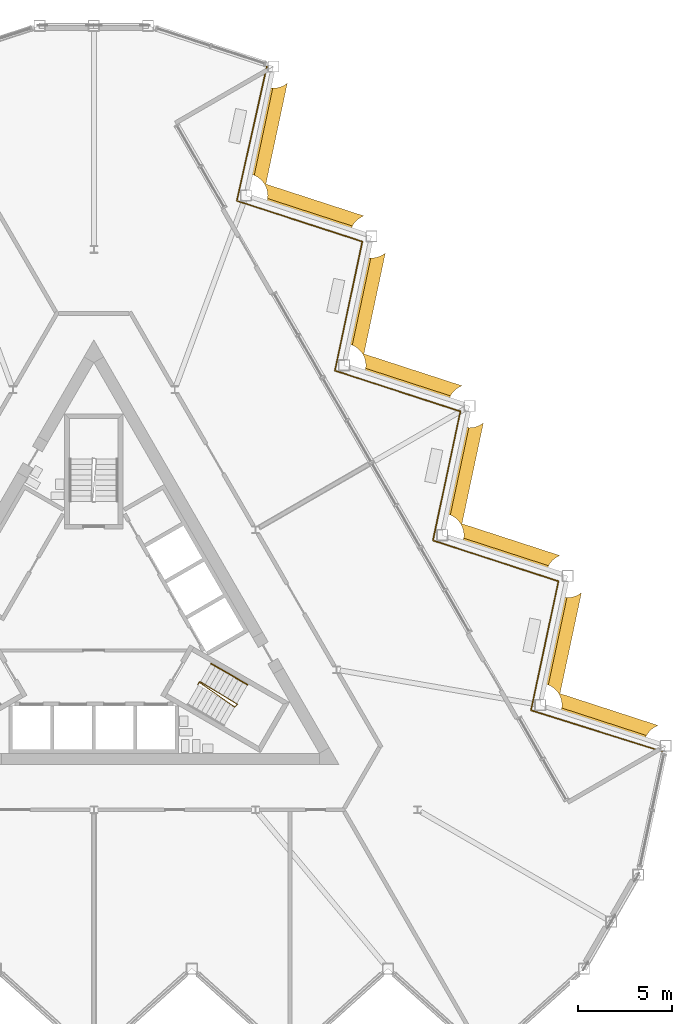
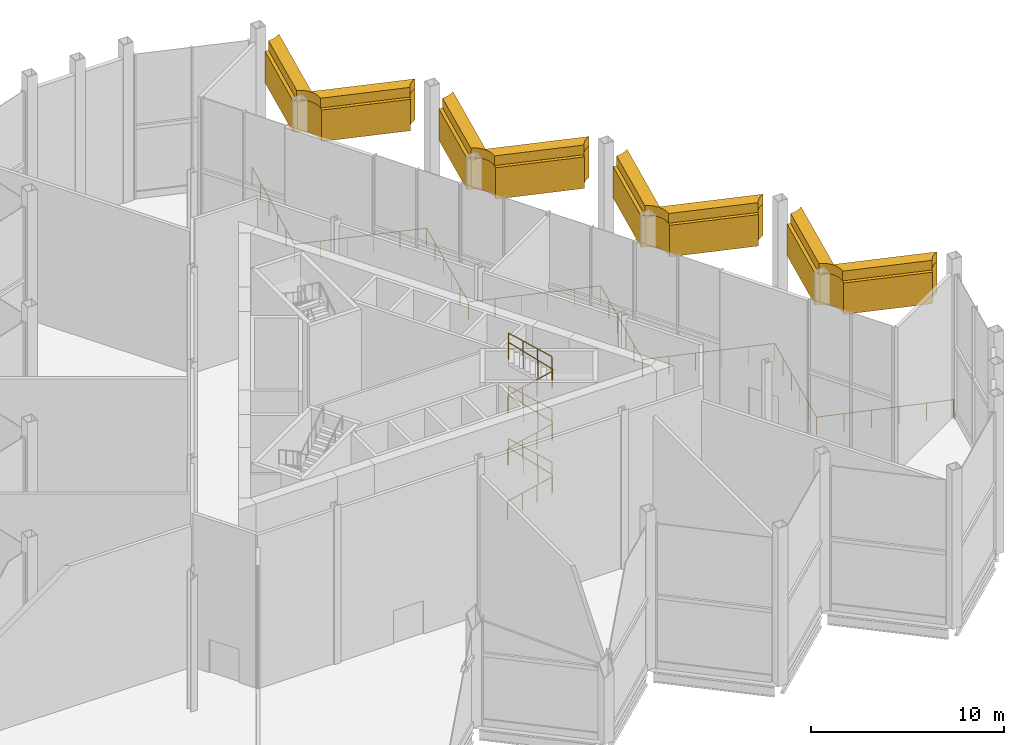
# One storey, part 16 of 18: 8 coverings, 5 railings.
"""IFC4 building model written with IfcOpenShell, lengths in metres."""

from ifc_helpers import new_model, si_unit, direction, frame, origin, origin_2d, place, context, subcontext, project, spatial, polyline, circle, outline, extrude, material, layer, layer_set, type_object, element, save


model = new_model("IFC4")

# Units and contexts
model_context = context("Model", 3, precision=1e-05, world=origin(), true_north=direction((0.0, 1.0)))
body_context = subcontext(model_context, "Body", "Model", "MODEL_VIEW")
ifc_project = project(units=[si_unit("LENGTHUNIT", "METRE"), si_unit("AREAUNIT", "SQUARE_METRE"), si_unit("VOLUMEUNIT", "CUBIC_METRE"), si_unit("PLANEANGLEUNIT", "RADIAN"), si_unit("MASSUNIT", "GRAM", prefix="KILO")], contexts=[model_context])

# Site, building, storey
site_placement = place(None, origin())
site = spatial("IfcSite", under=ifc_project, at=site_placement, CompositionType="ELEMENT")
building_placement = place(site_placement, origin())
building = spatial("IfcBuilding", under=site, at=building_placement, Name="Cormorant Prow Tower", CompositionType="ELEMENT")
storey_placement = place(building_placement, frame((0.0, 0.0, 346.0)))
storey = spatial("IfcBuildingStorey", under=building, at=storey_placement, Name="L78", CompositionType="ELEMENT", Elevation=346.0)

# Railings
ifc_material_1 = material(Name="Stainless steel", Category="steel")
railing_type_1 = type_object("IfcRailingType", Name="Stair guard 1100", PredefinedType="GUARDRAIL", material=ifc_material_1)
railing_1_placement = place(storey_placement, frame((5.510009765625, -3.267822265625, 0.0)))
element("IfcRailing", 1, at=railing_1_placement, inside=storey, type_object=railing_type_1, Name="L78 ST2 stair guard 1", PredefinedType="GUARDRAIL", context=body_context, shape_type="SweptSolid", body=[
    extrude(circle(Radius=0.02392578125, at=origin_2d()), frame((0.0, 0.0, 1.076171875), z_axis=(0.501036270542, 0.865426285481, 0.0), x_axis=(-0.865426285481, 0.501036270542, 0.0)), (0.0, 0.0, 1.0), 0.150146484375),
    extrude(circle(Radius=0.02392578125, at=origin_2d()), frame((0.0751953125, 0.1298828125, 1.076171875), z_axis=(0.663221673184, -0.464246572478, 0.587036738341), x_axis=(0.573455215813, 0.819236910458, 0.0)), (0.0, 0.0, 1.0), 2.83935546875),
    extrude(circle(Radius=0.02392578125, at=origin_2d()), frame((1.958251953125, -1.188232421875, 2.74267578125), z_axis=(0.695164929852, 0.718850276695, 0.0), x_axis=(-0.718850276695, 0.695164929852, 0.0)), (0.0, 0.0, 1.0), 0.2060546875),
    extrude(circle(Radius=0.02392578125, at=origin_2d()), frame((2.1015625, -1.0400390625, 2.74267578125), z_axis=(-0.691315500176, 0.419477937833, 0.588320608927), x_axis=(-0.518752825935, -0.854924268918, 0.0)), (0.0, 0.0, 1.0), 2.832763671875),
    extrude(circle(Radius=0.02392578125, at=origin_2d()), frame((0.143310546875, 0.148193359375, 4.4091796875), z_axis=(-0.965715946433, -0.259601060869, 0.0), x_axis=(0.259601060869, -0.965715946433, 0.0)), (0.0, 0.0, 1.0), 0.070556640625),
    extrude(circle(Radius=0.02392578125, at=origin_2d()), frame((0.0751953125, 0.1298828125, 4.4091796875), z_axis=(0.663221673184, -0.464246572478, 0.587036738341), x_axis=(0.573455215813, 0.819236910458, 0.0)), (0.0, 0.0, 1.0), 2.83935546875),
    extrude(circle(Radius=0.02392578125, at=origin_2d()), frame((1.958251953125, -1.188232421875, 6.076171875), z_axis=(0.695164929852, 0.718850276695, 0.0), x_axis=(-0.718850276695, 0.695164929852, 0.0)), (0.0, 0.0, 1.0), 0.2060546875),
    extrude(circle(Radius=0.02392578125, at=origin_2d()), frame((2.1015625, -1.0400390625, 6.076171875), z_axis=(-0.69128044623, 0.419456667722, 0.588376961278), x_axis=(-0.518752825935, -0.854924268918, 0.0)), (0.0, 0.0, 1.0), 2.832763671875),
    extrude(circle(Radius=0.02392578125, at=origin_2d()), frame((0.143310546875, 0.148193359375, 7.74267578125), z_axis=(-0.965715946433, -0.259601060869, 0.0), x_axis=(0.259601060869, -0.965715946433, 0.0)), (0.0, 0.0, 1.0), 0.070556640625),
    extrude(circle(Radius=0.02392578125, at=origin_2d()), frame((0.0751953125, 0.1298828125, 7.74267578125), z_axis=(0.663255151256, -0.464270006694, 0.586980378902), x_axis=(0.573455215813, 0.819236910458, 0.0)), (0.0, 0.0, 1.0), 2.839111328125),
    extrude(circle(Radius=0.02392578125, at=origin_2d()), frame((1.958251953125, -1.188232421875, 9.4091796875), z_axis=(0.695164929852, 0.718850276695, 0.0), x_axis=(-0.718850276695, 0.695164929852, 0.0)), (0.0, 0.0, 1.0), 0.2060546875),
    extrude(circle(Radius=0.02392578125, at=origin_2d()), frame((2.1015625, -1.0400390625, 9.4091796875), z_axis=(-0.69128044623, 0.419456667722, 0.588376961278), x_axis=(-0.518752825935, -0.854924268918, 0.0)), (0.0, 0.0, 1.0), 2.832763671875),
    extrude(circle(Radius=0.02099609375, at=origin_2d()), origin(), (0.0, 0.0, 1.0), 1.052001953125),
    extrude(circle(Radius=0.02099609375, at=origin_2d()), frame((0.0751953125, 0.1298828125, 0.0)), (0.0, 0.0, 1.0), 1.052001953125),
    extrude(circle(Radius=0.02099609375, at=origin_2d()), frame((0.702880859375, -0.3095703125, 0.5556640625)), (0.0, 0.0, 1.0), 1.052001953125),
    extrude(circle(Radius=0.02099609375, at=origin_2d()), frame((1.33056640625, -0.748779296875, 1.111083984375)), (0.0, 0.0, 1.0), 1.052001953125),
    extrude(circle(Radius=0.02099609375, at=origin_2d()), frame((1.958251953125, -1.188232421875, 1.666748046875)), (0.0, 0.0, 1.0), 1.052001953125),
    extrude(circle(Radius=0.02099609375, at=origin_2d()), frame((2.1015625, -1.0400390625, 1.666748046875)), (0.0, 0.0, 1.0), 1.052001953125),
    extrude(circle(Radius=0.02099609375, at=origin_2d()), frame((1.44873046875, -0.64404296875, 2.22216796875)), (0.0, 0.0, 1.0), 1.052001953125),
    extrude(circle(Radius=0.02099609375, at=origin_2d()), frame((0.796142578125, -0.247802734375, 2.77783203125)), (0.0, 0.0, 1.0), 1.052001953125),
    extrude(circle(Radius=0.02099609375, at=origin_2d()), frame((0.143310546875, 0.148193359375, 3.333251953125)), (0.0, 0.0, 1.0), 1.052001953125),
    extrude(circle(Radius=0.02099609375, at=origin_2d()), frame((0.0751953125, 0.1298828125, 3.333251953125)), (0.0, 0.0, 1.0), 1.052001953125),
    extrude(circle(Radius=0.02099609375, at=origin_2d()), frame((0.702880859375, -0.3095703125, 3.888916015625)), (0.0, 0.0, 1.0), 1.052001953125),
    extrude(circle(Radius=0.02099609375, at=origin_2d()), frame((1.33056640625, -0.748779296875, 4.4443359375)), (0.0, 0.0, 1.0), 1.052001953125),
    extrude(circle(Radius=0.02099609375, at=origin_2d()), frame((1.958251953125, -1.188232421875, 5.0)), (0.0, 0.0, 1.0), 1.052001953125),
    extrude(circle(Radius=0.02099609375, at=origin_2d()), frame((2.1015625, -1.0400390625, 5.0)), (0.0, 0.0, 1.0), 1.052001953125),
    extrude(circle(Radius=0.02099609375, at=origin_2d()), frame((1.44873046875, -0.64404296875, 5.5556640625)), (0.0, 0.0, 1.0), 1.052001953125),
    extrude(circle(Radius=0.02099609375, at=origin_2d()), frame((0.796142578125, -0.247802734375, 6.111083984375)), (0.0, 0.0, 1.0), 1.052001953125),
    extrude(circle(Radius=0.02099609375, at=origin_2d()), frame((0.143310546875, 0.148193359375, 6.666748046875)), (0.0, 0.0, 1.0), 1.052001953125),
    extrude(circle(Radius=0.02099609375, at=origin_2d()), frame((0.0751953125, 0.1298828125, 6.666748046875)), (0.0, 0.0, 1.0), 1.052001953125),
    extrude(circle(Radius=0.02099609375, at=origin_2d()), frame((0.702880859375, -0.3095703125, 7.22216796875)), (0.0, 0.0, 1.0), 1.052001953125),
    extrude(circle(Radius=0.02099609375, at=origin_2d()), frame((1.33056640625, -0.748779296875, 7.77783203125)), (0.0, 0.0, 1.0), 1.052001953125),
    extrude(circle(Radius=0.02099609375, at=origin_2d()), frame((1.958251953125, -1.188232421875, 8.333251953125)), (0.0, 0.0, 1.0), 1.052001953125),
    extrude(circle(Radius=0.02099609375, at=origin_2d()), frame((2.1015625, -1.0400390625, 8.333251953125)), (0.0, 0.0, 1.0), 1.052001953125),
    extrude(circle(Radius=0.02099609375, at=origin_2d()), frame((1.44873046875, -0.64404296875, 8.888916015625)), (0.0, 0.0, 1.0), 1.052001953125),
    extrude(circle(Radius=0.02099609375, at=origin_2d()), frame((0.796142578125, -0.247802734375, 9.4443359375)), (0.0, 0.0, 1.0), 1.052001953125),
    extrude(circle(Radius=0.02099609375, at=origin_2d()), frame((0.143310546875, 0.148193359375, 10.0)), (0.0, 0.0, 1.0), 1.052001953125),
])
ifc_material_2 = material(Name="Stainless steel", Category="steel")
railing_type_2 = type_object("IfcRailingType", Name="Stair handrail 900", PredefinedType="HANDRAIL", material=ifc_material_2)
for number, where, name in (
    (2, (8.15283203125, -3.2705078125, 1.851806640625), "L78 ST2 stair handrail 2"),
    (3, (8.15283203125, -3.2705078125, 5.185302734375), "L78 ST2 stair handrail 4"),
    (4, (8.15283203125, -3.2705078125, 8.5185546875), "L78 ST2 stair handrail 6"),
):
    element("IfcRailing", number, at=place(storey_placement, frame(where)), inside=storey, type_object=railing_type_2, Name=name, PredefinedType="HANDRAIL", context=body_context, shape_type="SweptSolid", body=[
        extrude(circle(Radius=0.02392578125, at=origin_2d()), frame((0.0, 0.0, 0.8759765625), z_axis=(-0.722363311002, 0.416999812178, 0.551636115172), x_axis=(-0.49994888933, -0.866054910533, 0.0)), (0.0, 0.0, 1.0), 2.685546875),
        extrude(circle(Radius=0.02099609375, at=origin_2d()), origin(), (0.0, 0.0, 1.0), 0.851806640625),
        extrude(circle(Radius=0.02099609375, at=origin_2d()), frame((-0.646728515625, 0.373291015625, 0.493896484375)), (0.0, 0.0, 1.0), 0.851806640625),
        extrude(circle(Radius=0.02099609375, at=origin_2d()), frame((-1.293212890625, 0.74658203125, 0.987548828125)), (0.0, 0.0, 1.0), 0.851806640625),
        extrude(circle(Radius=0.02099609375, at=origin_2d()), frame((-1.93994140625, 1.119873046875, 1.4814453125)), (0.0, 0.0, 1.0), 0.851806640625),
    ])
ifc_material_3 = material(Name="Aluminium 6063-T6", Category="aluminium")
railing_type_3 = type_object("IfcRailingType", Name="Terrace guard 1150", PredefinedType="GUARDRAIL", material=ifc_material_3)
railing_2_placement = place(storey_placement, frame((30.138916015625, -6.810302734375, 0.0)))
element("IfcRailing", 5, at=railing_2_placement, inside=storey, type_object=railing_type_3, Name="Terrace guard ENE", PredefinedType="GUARDRAIL", context=body_context, shape_type="SweptSolid", body=[
    extrude(circle(Radius=0.02392578125, at=origin_2d()), frame((0.0, 0.0, 1.1259765625), z_axis=(-0.954122487146, 0.29941656521, 0.0), x_axis=(-0.29941656521, -0.954122487146, 0.0)), (0.0, 0.0, 1.0), 7.292724609375),
    extrude(circle(Radius=0.02392578125, at=origin_2d()), frame((-6.958251953125, 2.18359375, 1.1259765625), z_axis=(0.207920109304, 0.978145811292, 0.0), x_axis=(-0.978145811292, 0.207920109304, 0.0)), (0.0, 0.0, 1.0), 6.995849609375),
    extrude(circle(Radius=0.02392578125, at=origin_2d()), frame((-5.503662109375, 9.026611328125, 1.1259765625), z_axis=(-0.951046634004, 0.309047407285, 0.0), x_axis=(-0.309047407285, -0.951046634004, 0.0)), (0.0, 0.0, 1.0), 6.99609375),
    extrude(circle(Radius=0.02392578125, at=origin_2d()), frame((-12.1572265625, 11.188720703125, 1.1259765625), z_axis=(0.207886719957, 0.978152908121, 0.0), x_axis=(-0.978152908121, 0.207886719957, 0.0)), (0.0, 0.0, 1.0), 6.995849609375),
    extrude(circle(Radius=0.02392578125, at=origin_2d()), frame((-10.702880859375, 18.03173828125, 1.1259765625), z_axis=(-0.951056890451, 0.309015842841, 0.0), x_axis=(-0.309015842841, -0.951056890451, 0.0)), (0.0, 0.0, 1.0), 6.995849609375),
    extrude(circle(Radius=0.02392578125, at=origin_2d()), frame((-17.3564453125, 20.193603515625, 1.1259765625), z_axis=(0.207913012193, 0.978147319866, 0.0), x_axis=(-0.978147319866, 0.207913012193, 0.0)), (0.0, 0.0, 1.0), 6.99609375),
    extrude(circle(Radius=0.02392578125, at=origin_2d()), frame((-15.90185546875, 27.036865234375, 1.1259765625), z_axis=(-0.951056890451, 0.309015842841, 0.0), x_axis=(-0.309015842841, -0.951056890451, 0.0)), (0.0, 0.0, 1.0), 6.995849609375),
    extrude(circle(Radius=0.02392578125, at=origin_2d()), frame((-22.555419921875, 29.19873046875, 1.1259765625), z_axis=(0.217770463212, 0.976000012988, 0.0), x_axis=(-0.976000012988, 0.217770463212, 0.0)), (0.0, 0.0, 1.0), 7.292724609375),
    extrude(circle(Radius=0.02099609375, at=origin_2d()), origin(), (0.0, 0.0, 1.0), 1.101806640625),
    extrude(circle(Radius=0.02099609375, at=origin_2d()), frame((-1.3916015625, 0.436767578125, 0.0)), (0.0, 0.0, 1.0), 1.101806640625),
    extrude(circle(Radius=0.02099609375, at=origin_2d()), frame((-2.783203125, 0.87353515625, 0.0)), (0.0, 0.0, 1.0), 1.101806640625),
    extrude(circle(Radius=0.02099609375, at=origin_2d()), frame((-4.175048828125, 1.31005859375, 0.0)), (0.0, 0.0, 1.0), 1.101806640625),
    extrude(circle(Radius=0.02099609375, at=origin_2d()), frame((-5.566650390625, 1.746826171875, 0.0)), (0.0, 0.0, 1.0), 1.101806640625),
    extrude(circle(Radius=0.02099609375, at=origin_2d()), frame((-6.958251953125, 2.18359375, 0.0)), (0.0, 0.0, 1.0), 1.101806640625),
    extrude(circle(Radius=0.02099609375, at=origin_2d()), frame((-6.667236328125, 3.55224609375, 0.0)), (0.0, 0.0, 1.0), 1.101806640625),
    extrude(circle(Radius=0.02099609375, at=origin_2d()), frame((-6.37646484375, 4.9208984375, 0.0)), (0.0, 0.0, 1.0), 1.101806640625),
    extrude(circle(Radius=0.02099609375, at=origin_2d()), frame((-6.08544921875, 6.289306640625, 0.0)), (0.0, 0.0, 1.0), 1.101806640625),
    extrude(circle(Radius=0.02099609375, at=origin_2d()), frame((-5.794677734375, 7.657958984375, 0.0)), (0.0, 0.0, 1.0), 1.101806640625),
    extrude(circle(Radius=0.02099609375, at=origin_2d()), frame((-5.503662109375, 9.026611328125, 0.0)), (0.0, 0.0, 1.0), 1.101806640625),
    extrude(circle(Radius=0.02099609375, at=origin_2d()), frame((-6.83447265625, 9.458984375, 0.0)), (0.0, 0.0, 1.0), 1.101806640625),
    extrude(circle(Radius=0.02099609375, at=origin_2d()), frame((-8.1650390625, 9.891357421875, 0.0)), (0.0, 0.0, 1.0), 1.101806640625),
    extrude(circle(Radius=0.02099609375, at=origin_2d()), frame((-9.495849609375, 10.323974609375, 0.0)), (0.0, 0.0, 1.0), 1.101806640625),
    extrude(circle(Radius=0.02099609375, at=origin_2d()), frame((-10.826416015625, 10.75634765625, 0.0)), (0.0, 0.0, 1.0), 1.101806640625),
    extrude(circle(Radius=0.02099609375, at=origin_2d()), frame((-12.1572265625, 11.188720703125, 0.0)), (0.0, 0.0, 1.0), 1.101806640625),
    extrude(circle(Radius=0.02099609375, at=origin_2d()), frame((-11.866455078125, 12.557373046875, 0.0)), (0.0, 0.0, 1.0), 1.101806640625),
    extrude(circle(Radius=0.02099609375, at=origin_2d()), frame((-11.575439453125, 13.926025390625, 0.0)), (0.0, 0.0, 1.0), 1.101806640625),
    extrude(circle(Radius=0.02099609375, at=origin_2d()), frame((-11.28466796875, 15.29443359375, 0.0)), (0.0, 0.0, 1.0), 1.101806640625),
    extrude(circle(Radius=0.02099609375, at=origin_2d()), frame((-10.99365234375, 16.6630859375, 0.0)), (0.0, 0.0, 1.0), 1.101806640625),
    extrude(circle(Radius=0.02099609375, at=origin_2d()), frame((-10.702880859375, 18.03173828125, 0.0)), (0.0, 0.0, 1.0), 1.101806640625),
    extrude(circle(Radius=0.02099609375, at=origin_2d()), frame((-12.03369140625, 18.464111328125, 0.0)), (0.0, 0.0, 1.0), 1.101806640625),
    extrude(circle(Radius=0.02099609375, at=origin_2d()), frame((-13.3642578125, 18.896484375, 0.0)), (0.0, 0.0, 1.0), 1.101806640625),
    extrude(circle(Radius=0.02099609375, at=origin_2d()), frame((-14.695068359375, 19.328857421875, 0.0)), (0.0, 0.0, 1.0), 1.101806640625),
    extrude(circle(Radius=0.02099609375, at=origin_2d()), frame((-16.025634765625, 19.76123046875, 0.0)), (0.0, 0.0, 1.0), 1.101806640625),
    extrude(circle(Radius=0.02099609375, at=origin_2d()), frame((-17.3564453125, 20.193603515625, 0.0)), (0.0, 0.0, 1.0), 1.101806640625),
    extrude(circle(Radius=0.02099609375, at=origin_2d()), frame((-17.0654296875, 21.562255859375, 0.0)), (0.0, 0.0, 1.0), 1.101806640625),
    extrude(circle(Radius=0.02099609375, at=origin_2d()), frame((-16.774658203125, 22.930908203125, 0.0)), (0.0, 0.0, 1.0), 1.101806640625),
    extrude(circle(Radius=0.02099609375, at=origin_2d()), frame((-16.483642578125, 24.299560546875, 0.0)), (0.0, 0.0, 1.0), 1.101806640625),
    extrude(circle(Radius=0.02099609375, at=origin_2d()), frame((-16.19287109375, 25.668212890625, 0.0)), (0.0, 0.0, 1.0), 1.101806640625),
    extrude(circle(Radius=0.02099609375, at=origin_2d()), frame((-15.90185546875, 27.036865234375, 0.0)), (0.0, 0.0, 1.0), 1.101806640625),
    extrude(circle(Radius=0.02099609375, at=origin_2d()), frame((-17.232666015625, 27.46923828125, 0.0)), (0.0, 0.0, 1.0), 1.101806640625),
    extrude(circle(Radius=0.02099609375, at=origin_2d()), frame((-18.563232421875, 27.901611328125, 0.0)), (0.0, 0.0, 1.0), 1.101806640625),
    extrude(circle(Radius=0.02099609375, at=origin_2d()), frame((-19.89404296875, 28.333984375, 0.0)), (0.0, 0.0, 1.0), 1.101806640625),
    extrude(circle(Radius=0.02099609375, at=origin_2d()), frame((-21.224609375, 28.766357421875, 0.0)), (0.0, 0.0, 1.0), 1.101806640625),
    extrude(circle(Radius=0.02099609375, at=origin_2d()), frame((-22.555419921875, 29.19873046875, 0.0)), (0.0, 0.0, 1.0), 1.101806640625),
    extrude(circle(Radius=0.02099609375, at=origin_2d()), frame((-22.23779296875, 30.622314453125, 0.0)), (0.0, 0.0, 1.0), 1.101806640625),
    extrude(circle(Radius=0.02099609375, at=origin_2d()), frame((-21.920166015625, 32.0458984375, 0.0)), (0.0, 0.0, 1.0), 1.101806640625),
    extrude(circle(Radius=0.02099609375, at=origin_2d()), frame((-21.6025390625, 33.46923828125, 0.0)), (0.0, 0.0, 1.0), 1.101806640625),
    extrude(circle(Radius=0.02099609375, at=origin_2d()), frame((-21.284912109375, 34.892822265625, 0.0)), (0.0, 0.0, 1.0), 1.101806640625),
    extrude(circle(Radius=0.02099609375, at=origin_2d()), frame((-20.96728515625, 36.31640625, 0.0)), (0.0, 0.0, 1.0), 1.101806640625),
])

# Coverings
ifc_material_4 = material(Name="Terracotta", Category="masonry")
ifc_layer = layer(ifc_material_4, 0.89990234375)
ifc_layer_set = layer_set([ifc_layer], Name="Terracotta")
covering_type = type_object("IfcCoveringType", Name="Terrace lintel fascia 900", PredefinedType="CLADDING", material=ifc_layer_set)
covering_1_placement = place(storey_placement, frame((0.0, 0.0, 7.10009765625)))
element("IfcCovering", 6, at=covering_1_placement, inside=storey, type_object=covering_type, Name="Terrace lintel L78", PredefinedType="CLADDING", context=body_context, shape_type="SweptSolid", body=[
    extrude(outline(polyline([(19.56396484375, 4.305908203125), (19.571533203125, 4.3271484375), (19.598876953125, 4.4365234375), (19.615478515625, 4.548095703125), (19.62109375, 4.660888671875), (19.615478515625, 4.773681640625), (19.598876953125, 4.88525390625), (19.571533203125, 4.99462890625), (19.533447265625, 5.10107421875), (19.485107421875, 5.202880859375), (19.42724609375, 5.2998046875), (19.360107421875, 5.390380859375), (19.2841796875, 5.47412109375), (19.20068359375, 5.5498046875), (19.10986328125, 5.6171875), (19.01318359375, 5.675048828125), (18.9111328125, 5.723388671875), (18.804931640625, 5.761474609375), (18.7099609375, 5.78515625), (19.6865234375, 10.3798828125), (19.701171875, 10.376220703125), (19.81298828125, 10.359619140625), (19.925537109375, 10.35400390625), (20.038330078125, 10.359619140625), (20.14990234375, 10.376220703125), (20.259521484375, 10.403564453125), (20.36572265625, 10.441650390625), (20.4677734375, 10.48974609375), (20.564453125, 10.5478515625), (20.655029296875, 10.614990234375), (20.656982421875, 10.616943359375), (19.519775390625, 5.266357421875), (24.723876953125, 3.575439453125), (24.6845703125, 3.561279296875), (24.58251953125, 3.51318359375), (24.48583984375, 3.455078125), (24.39501953125, 3.387939453125), (24.3115234375, 3.312255859375), (24.235595703125, 3.228515625), (24.16845703125, 3.137939453125), (24.110595703125, 3.041015625), (24.062255859375, 2.939208984375), (24.03173828125, 2.85400390625), (19.56396484375, 4.305908203125)])), origin(), (0.0, 0.0, 1.0), 1.98779296875),
])
covering_2_placement = place(storey_placement, frame((0.0, 0.0, 7.10009765625)))
element("IfcCovering", 7, at=covering_2_placement, inside=storey, type_object=covering_type, Name="Terrace lintel L78 part 2", PredefinedType="CLADDING", context=body_context, shape_type="SweptSolid", body=[
    extrude(outline(polyline([(9.165771484375, 22.31591796875), (9.17333984375, 22.337158203125), (9.20068359375, 22.44677734375), (9.21728515625, 22.558349609375), (9.222900390625, 22.6708984375), (9.21728515625, 22.78369140625), (9.20068359375, 22.8955078125), (9.17333984375, 23.0048828125), (9.13525390625, 23.111083984375), (9.087158203125, 23.213134765625), (9.029052734375, 23.309814453125), (8.9619140625, 23.400634765625), (8.885986328125, 23.484130859375), (8.802490234375, 23.56005859375), (8.7119140625, 23.627197265625), (8.614990234375, 23.685302734375), (8.512939453125, 23.7333984375), (8.40673828125, 23.771484375), (8.311767578125, 23.79541015625), (9.28857421875, 28.389892578125), (9.302978515625, 28.38623046875), (9.414794921875, 28.36962890625), (9.52734375, 28.3642578125), (9.64013671875, 28.36962890625), (9.751708984375, 28.38623046875), (9.861328125, 28.413818359375), (9.967529296875, 28.45166015625), (10.069580078125, 28.5), (10.166259765625, 28.55810546875), (10.257080078125, 28.625244140625), (10.259033203125, 28.626953125), (9.12158203125, 23.276611328125), (14.32568359375, 21.585693359375), (14.286376953125, 21.571533203125), (14.184326171875, 21.523193359375), (14.087646484375, 21.46533203125), (13.9970703125, 21.398193359375), (13.913330078125, 21.322265625), (13.837646484375, 21.23876953125), (13.770263671875, 21.14794921875), (13.71240234375, 21.05126953125), (13.6640625, 20.94921875), (13.633544921875, 20.8642578125), (9.165771484375, 22.31591796875)])), origin(), (0.0, 0.0, 1.0), 1.98779296875),
])
covering_3_placement = place(storey_placement, frame((0.0, 0.0, 7.10009765625)))
element("IfcCovering", 8, at=covering_3_placement, inside=storey, type_object=covering_type, Name="Terrace lintel L78 part 3", PredefinedType="CLADDING", context=body_context, shape_type="SweptSolid", body=[
    extrude(outline(polyline([(14.36474609375, 13.310791015625), (14.372314453125, 13.33203125), (14.39990234375, 13.441650390625), (14.41650390625, 13.55322265625), (14.422119140625, 13.666015625), (14.41650390625, 13.77880859375), (14.39990234375, 13.890380859375), (14.372314453125, 13.999755859375), (14.33447265625, 14.10595703125), (14.2861328125, 14.2080078125), (14.22802734375, 14.304931640625), (14.160888671875, 14.3955078125), (14.085205078125, 14.47900390625), (14.00146484375, 14.554931640625), (13.910888671875, 14.6220703125), (13.814208984375, 14.68017578125), (13.7119140625, 14.728515625), (13.605712890625, 14.766357421875), (13.510986328125, 14.790283203125), (14.487548828125, 19.385009765625), (14.502197265625, 19.381103515625), (14.61376953125, 19.36474609375), (14.7265625, 19.359130859375), (14.839111328125, 19.36474609375), (14.950927734375, 19.381103515625), (15.060302734375, 19.40869140625), (15.16650390625, 19.44677734375), (15.2685546875, 19.494873046875), (15.365478515625, 19.552978515625), (15.4560546875, 19.6201171875), (15.4580078125, 19.621826171875), (14.32080078125, 14.271484375), (19.52490234375, 12.58056640625), (19.485595703125, 12.56640625), (19.383544921875, 12.518310546875), (19.28662109375, 12.460205078125), (19.196044921875, 12.39306640625), (19.1123046875, 12.317138671875), (19.03662109375, 12.233642578125), (18.969482421875, 12.14306640625), (18.911376953125, 12.046142578125), (18.863037109375, 11.944091796875), (18.832763671875, 11.859130859375), (14.36474609375, 13.310791015625)])), origin(), (0.0, 0.0, 1.0), 1.98779296875),
])
covering_4_placement = place(storey_placement, frame((0.0, 0.0, 7.10009765625)))
element("IfcCovering", 9, at=covering_4_placement, inside=storey, type_object=covering_type, Name="Terrace lintel L78 part 4", PredefinedType="CLADDING", context=body_context, shape_type="SweptSolid", body=[
    extrude(outline(polyline([(24.8857421875, 1.374755859375), (24.900390625, 1.37109375), (25.011962890625, 1.3544921875), (25.124755859375, 1.34912109375), (25.2373046875, 1.3544921875), (25.34912109375, 1.37109375), (25.45849609375, 1.3984375), (25.564697265625, 1.4365234375), (25.666748046875, 1.48486328125), (25.763671875, 1.542724609375), (25.854248046875, 1.610107421875), (25.856201171875, 1.61181640625), (24.718994140625, -3.73876953125), (29.923095703125, -5.4296875), (29.8837890625, -5.443603515625), (29.781494140625, -5.491943359375), (29.684814453125, -5.5498046875), (29.59423828125, -5.6171875), (29.510498046875, -5.69287109375), (29.434814453125, -5.776611328125), (29.36767578125, -5.8671875), (29.3095703125, -5.964111328125), (29.26123046875, -6.06591796875), (29.23095703125, -6.15087890625), (24.762939453125, -4.69921875), (24.7705078125, -4.677978515625), (24.798095703125, -4.568603515625), (24.814697265625, -4.456787109375), (24.820068359375, -4.34423828125), (24.814697265625, -4.2314453125), (24.798095703125, -4.119873046875), (24.7705078125, -4.010498046875), (24.732666015625, -3.904052734375), (24.684326171875, -3.802001953125), (24.626220703125, -3.705322265625), (24.55908203125, -3.614501953125), (24.4833984375, -3.531005859375), (24.399658203125, -3.455078125), (24.30908203125, -3.387939453125), (24.212158203125, -3.330078125), (24.110107421875, -3.28173828125), (24.00390625, -3.24365234375), (23.9091796875, -3.219970703125), (24.8857421875, 1.374755859375)])), origin(), (0.0, 0.0, 1.0), 1.98779296875),
])
covering_5_placement = place(storey_placement, frame((0.0, 0.0, 9.087890625)))
element("IfcCovering", 10, at=covering_5_placement, inside=storey, type_object=covering_type, Name="Terrace lintel L78 head", PredefinedType="CLADDING", context=body_context, shape_type="SweptSolid", body=[
    extrude(outline(polyline([(19.615478515625, 4.548095703125), (19.62109375, 4.660888671875), (19.615478515625, 4.773681640625), (19.598876953125, 4.88525390625), (19.571533203125, 4.99462890625), (19.533447265625, 5.10107421875), (19.485107421875, 5.202880859375), (19.42724609375, 5.2998046875), (19.360107421875, 5.390380859375), (19.2841796875, 5.47412109375), (19.20068359375, 5.5498046875), (19.10986328125, 5.6171875), (19.01318359375, 5.675048828125), (18.9111328125, 5.723388671875), (18.902099609375, 5.7265625), (19.885986328125, 10.35595703125), (19.925537109375, 10.35400390625), (20.038330078125, 10.359619140625), (20.14990234375, 10.376220703125), (20.259521484375, 10.403564453125), (20.36572265625, 10.441650390625), (20.4677734375, 10.48974609375), (20.564453125, 10.5478515625), (20.655029296875, 10.614990234375), (20.656982421875, 10.616943359375), (19.519775390625, 5.266357421875), (24.723876953125, 3.575439453125), (24.6845703125, 3.561279296875), (24.58251953125, 3.51318359375), (24.48583984375, 3.455078125), (24.39501953125, 3.387939453125), (24.3115234375, 3.312255859375), (24.235595703125, 3.228515625), (24.16845703125, 3.137939453125), (24.110595703125, 3.041015625), (24.109619140625, 3.0390625), (19.608642578125, 4.501708984375), (19.615478515625, 4.548095703125)])), origin(), (0.0, 0.0, 1.0), 0.612060546875),
])
covering_6_placement = place(storey_placement, frame((0.0, 0.0, 9.087890625)))
element("IfcCovering", 11, at=covering_6_placement, inside=storey, type_object=covering_type, Name="Terrace lintel L78 head part 2", PredefinedType="CLADDING", context=body_context, shape_type="SweptSolid", body=[
    extrude(outline(polyline([(9.21728515625, 22.558349609375), (9.222900390625, 22.6708984375), (9.21728515625, 22.78369140625), (9.20068359375, 22.8955078125), (9.17333984375, 23.0048828125), (9.13525390625, 23.111083984375), (9.087158203125, 23.213134765625), (9.029052734375, 23.309814453125), (8.9619140625, 23.400634765625), (8.885986328125, 23.484130859375), (8.802490234375, 23.56005859375), (8.7119140625, 23.627197265625), (8.614990234375, 23.685302734375), (8.512939453125, 23.7333984375), (8.50390625, 23.73681640625), (9.48779296875, 28.3662109375), (9.52734375, 28.3642578125), (9.64013671875, 28.36962890625), (9.751708984375, 28.38623046875), (9.861328125, 28.413818359375), (9.967529296875, 28.45166015625), (10.069580078125, 28.5), (10.166259765625, 28.55810546875), (10.257080078125, 28.625244140625), (10.259033203125, 28.626953125), (9.12158203125, 23.276611328125), (14.32568359375, 21.585693359375), (14.286376953125, 21.571533203125), (14.184326171875, 21.523193359375), (14.087646484375, 21.46533203125), (13.9970703125, 21.398193359375), (13.913330078125, 21.322265625), (13.837646484375, 21.23876953125), (13.770263671875, 21.14794921875), (13.71240234375, 21.05126953125), (13.71142578125, 21.04931640625), (9.21044921875, 22.51171875), (9.21728515625, 22.558349609375)])), origin(), (0.0, 0.0, 1.0), 0.612060546875),
])
covering_7_placement = place(storey_placement, frame((0.0, 0.0, 9.087890625)))
element("IfcCovering", 12, at=covering_7_placement, inside=storey, type_object=covering_type, Name="Terrace lintel L78 head part 3", PredefinedType="CLADDING", context=body_context, shape_type="SweptSolid", body=[
    extrude(outline(polyline([(25.124755859375, 1.34912109375), (25.2373046875, 1.3544921875), (25.34912109375, 1.37109375), (25.45849609375, 1.3984375), (25.564697265625, 1.4365234375), (25.666748046875, 1.48486328125), (25.763671875, 1.542724609375), (25.854248046875, 1.610107421875), (25.856201171875, 1.61181640625), (24.718994140625, -3.73876953125), (29.923095703125, -5.4296875), (29.8837890625, -5.443603515625), (29.781494140625, -5.491943359375), (29.684814453125, -5.5498046875), (29.59423828125, -5.6171875), (29.510498046875, -5.69287109375), (29.434814453125, -5.776611328125), (29.36767578125, -5.8671875), (29.3095703125, -5.964111328125), (29.30859375, -5.966064453125), (24.8076171875, -4.50341796875), (24.814697265625, -4.456787109375), (24.820068359375, -4.34423828125), (24.814697265625, -4.2314453125), (24.798095703125, -4.119873046875), (24.7705078125, -4.010498046875), (24.732666015625, -3.904052734375), (24.684326171875, -3.802001953125), (24.626220703125, -3.705322265625), (24.55908203125, -3.614501953125), (24.4833984375, -3.531005859375), (24.399658203125, -3.455078125), (24.30908203125, -3.387939453125), (24.212158203125, -3.330078125), (24.110107421875, -3.28173828125), (24.10107421875, -3.278564453125), (25.085205078125, 1.350830078125), (25.124755859375, 1.34912109375)])), origin(), (0.0, 0.0, 1.0), 0.612060546875),
])
covering_8_placement = place(storey_placement, frame((0.0, 0.0, 9.087890625)))
element("IfcCovering", 13, at=covering_8_placement, inside=storey, type_object=covering_type, Name="Terrace lintel L78 head part 4", PredefinedType="CLADDING", context=body_context, shape_type="SweptSolid", body=[
    extrude(outline(polyline([(14.41650390625, 13.55322265625), (14.422119140625, 13.666015625), (14.41650390625, 13.77880859375), (14.39990234375, 13.890380859375), (14.372314453125, 13.999755859375), (14.33447265625, 14.10595703125), (14.2861328125, 14.2080078125), (14.22802734375, 14.304931640625), (14.160888671875, 14.3955078125), (14.085205078125, 14.47900390625), (14.00146484375, 14.554931640625), (13.910888671875, 14.6220703125), (13.814208984375, 14.68017578125), (13.7119140625, 14.728515625), (13.702880859375, 14.731689453125), (14.68701171875, 19.361083984375), (14.7265625, 19.359130859375), (14.839111328125, 19.36474609375), (14.950927734375, 19.381103515625), (15.060302734375, 19.40869140625), (15.16650390625, 19.44677734375), (15.2685546875, 19.494873046875), (15.365478515625, 19.552978515625), (15.4560546875, 19.6201171875), (15.4580078125, 19.621826171875), (14.32080078125, 14.271484375), (19.52490234375, 12.58056640625), (19.485595703125, 12.56640625), (19.383544921875, 12.518310546875), (19.28662109375, 12.460205078125), (19.196044921875, 12.39306640625), (19.1123046875, 12.317138671875), (19.03662109375, 12.233642578125), (18.969482421875, 12.14306640625), (18.911376953125, 12.046142578125), (18.910400390625, 12.044189453125), (14.409423828125, 13.506591796875), (14.41650390625, 13.55322265625)])), origin(), (0.0, 0.0, 1.0), 0.612060546875),
])

save(model, "model.ifc")
